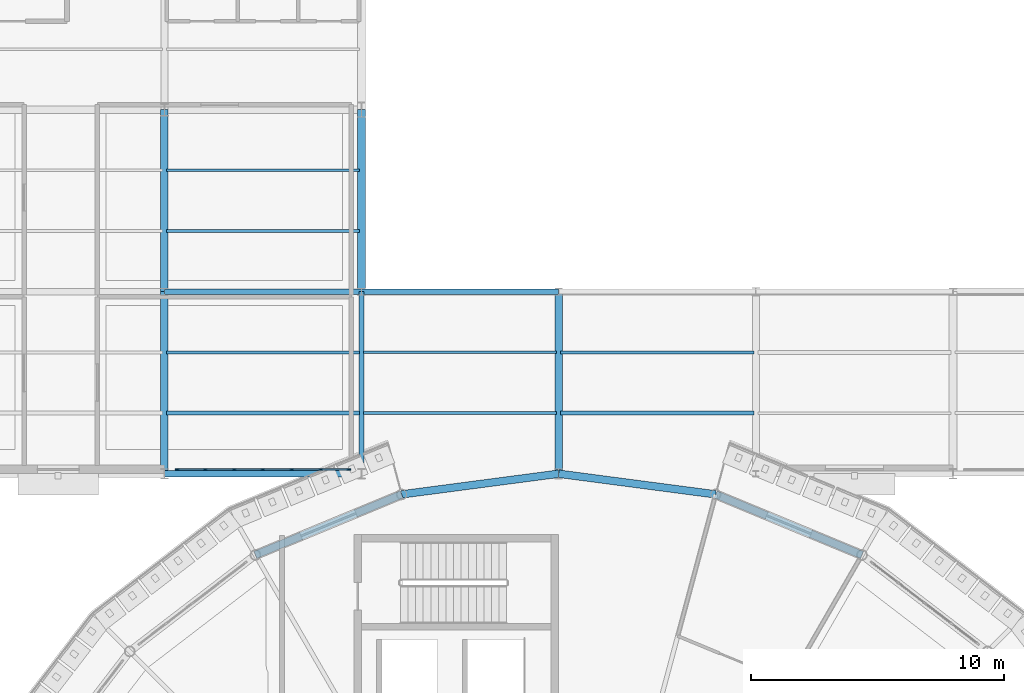
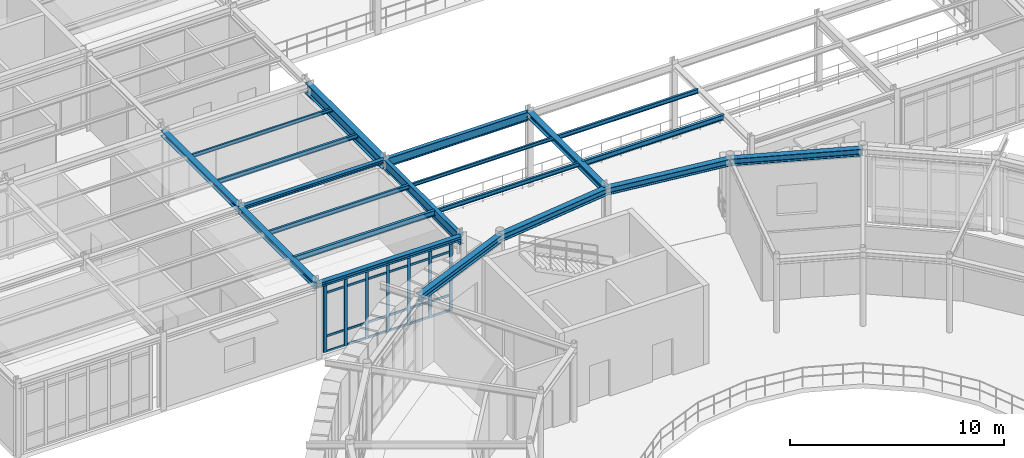
# One storey, part 55 of 106: 31 members, 20 beams, 1 element without a shape of its own.
"""IFC4 building model written with IfcOpenShell, lengths in metres."""

from ifc_helpers import new_model, si_unit, derived_unit, direction, frame, origin, origin_2d, place, context, subcontext, project, spatial, rectangle, i_section, extrude, material, layer, layer_set, material_profile, profile_set, type_object, element, aggregate, save


model = new_model("IFC4")

# Units and contexts
model_context = context("Model", 3, precision=1e-05, world=origin(), true_north=direction((0.0, 1.0)))
body_context = subcontext(model_context, "Body", "Model", "MODEL_VIEW")
ifc_project = project(units=[si_unit("LENGTHUNIT", "METRE"), si_unit("AREAUNIT", "SQUARE_METRE"), si_unit("VOLUMEUNIT", "CUBIC_METRE"), si_unit("PLANEANGLEUNIT", "RADIAN"), si_unit("MASSUNIT", "GRAM", prefix="KILO"), derived_unit("THERMALTRANSMITTANCEUNIT", [(si_unit("POWERUNIT", "WATT"), 1), (si_unit("AREAUNIT", "SQUARE_METRE"), -1), (si_unit("THERMODYNAMICTEMPERATUREUNIT", "KELVIN"), -1)])], contexts=[model_context])

# Site, building, storey
site_placement = place(None, origin())
site = spatial("IfcSite", under=ifc_project, at=site_placement, CompositionType="ELEMENT")
building_placement = place(site_placement, origin())
building = spatial("IfcBuilding", under=site, at=building_placement, Name="Yasenodar Specialist Clinic", CompositionType="ELEMENT")
storey_placement = place(building_placement, frame((0.0, 0.0, 4.5)))
storey = spatial("IfcBuildingStorey", under=building, at=storey_placement, Name="L01", CompositionType="ELEMENT", Elevation=4.5)

# Beams
ifc_material_1 = material(Name="Steel S355", Category="steel")
ifc_material_profile_1 = material_profile(ifc_material_1, i_section(OverallWidth=0.219970703125, OverallDepth=0.2099609375, WebThickness=0.007080078125, FlangeThickness=0.010986328125, FilletRadius=0.01806640625, at=origin_2d()), Name="HEA 220")
ifc_profile_set_1 = profile_set([ifc_material_profile_1], Name="Steel S355")
beam_type_1 = type_object("IfcBeamType", Name="BM-HEA220", PredefinedType="BEAM", material=ifc_profile_set_1)
beam_1_placement = place(storey_placement, frame((65.39990234375, 90.0, 4.14501953125), z_axis=(1.0, 0.0, 0.0), x_axis=(0.0, 1.0, 0.0)))
element("IfcBeam", 1, at=beam_1_placement, inside=storey, type_object=beam_type_1, Name="L01 Primary E-W Girder", PredefinedType="BEAM", context=body_context, shape_type="SweptSolid", body=[
    extrude(i_section(OverallWidth=0.219970703125, OverallDepth=0.2099609375, WebThickness=0.007080078125, FlangeThickness=0.010986328125, FilletRadius=0.01806640625, at=origin_2d()), origin(), (0.0, 0.0, 1.0), 7.800048828125),
])
ifc_material_profile_2 = material_profile(ifc_material_1, i_section(OverallWidth=0.260009765625, OverallDepth=0.25, WebThickness=0.007568359375, FlangeThickness=0.012451171875, FilletRadius=0.02392578125, at=origin_2d()), Name="HEA 260")
ifc_profile_set_2 = profile_set([ifc_material_profile_2], Name="Steel S355")
beam_type_2 = type_object("IfcBeamType", Name="BM-HEA260", PredefinedType="BEAM", material=ifc_profile_set_2)
beam_2_placement = place(storey_placement, frame((65.39990234375, 82.800048828125, 4.125), z_axis=(1.0, 0.0, 0.0), x_axis=(0.0, 1.0, 0.0)))
element("IfcBeam", 2, at=beam_2_placement, inside=storey, type_object=beam_type_2, Name="L01 Primary E-W Girder", PredefinedType="BEAM", context=body_context, shape_type="SweptSolid", body=[
    extrude(i_section(OverallWidth=0.260009765625, OverallDepth=0.25, WebThickness=0.007568359375, FlangeThickness=0.012451171875, FilletRadius=0.02392578125, at=origin_2d()), origin(), (0.0, 0.0, 1.0), 7.800048828125),
])
ifc_material_profile_3 = material_profile(ifc_material_1, i_section(OverallWidth=0.300048828125, OverallDepth=0.389892578125, WebThickness=0.010986328125, FlangeThickness=0.01904296875, FilletRadius=0.027099609375, at=origin_2d()), Name="HEA 400")
ifc_profile_set_3 = profile_set([ifc_material_profile_3], Name="Steel S355")
beam_type_3 = type_object("IfcBeamType", Name="BM-HEA400", PredefinedType="BEAM", material=ifc_profile_set_3)
beam_3_placement = place(storey_placement, frame((93.0, 79.584716796875, 4.054931640625), z_axis=(-0.9238876519, 0.382663829839, 0.0), x_axis=(-0.382663829839, -0.9238876519, 0.0)))
element("IfcBeam", 3, at=beam_3_placement, inside=storey, type_object=beam_type_3, Name="L01 Drum V1 Perimeter Ring Beam", PredefinedType="BEAM", context=body_context, shape_type="SweptSolid", body=[
    extrude(i_section(OverallWidth=0.300048828125, OverallDepth=0.389892578125, WebThickness=0.010986328125, FlangeThickness=0.01904296875, FilletRadius=0.027099609375, at=origin_2d()), origin(), (0.0, 0.0, 1.0), 6.26513671875),
])
for number, where, z_axis, x_axis, name in (
    (4, (87.211669921875, 81.982177734375, 4.054931640625), (-0.991443018138, 0.130540192224, 0.0), (-0.130540192224, -0.991443018138, 0.0), "L01 Drum V1 Perimeter Ring Beam"),
    (5, (81.0, 82.800048828125, 4.054931640625), (-0.991443018138, -0.130540192224, 0.0), (0.130540192224, -0.991443018138, 0.0), "L01 Drum V1 Perimeter Ring Beam"),
):
    element("IfcBeam", number, at=place(storey_placement, frame(where, z_axis=z_axis, x_axis=x_axis)), inside=storey, type_object=beam_type_3, Name=name, PredefinedType="BEAM", context=body_context, shape_type="SweptSolid", body=[
        extrude(i_section(OverallWidth=0.300048828125, OverallDepth=0.389892578125, WebThickness=0.010986328125, FlangeThickness=0.01904296875, FilletRadius=0.027099609375, at=origin_2d()), origin(), (0.0, 0.0, 1.0), 6.265380859375),
    ])
beam_4_placement = place(storey_placement, frame((74.788330078125, 81.982177734375, 4.054931640625), z_axis=(-0.9238876519, -0.382663829839, 0.0), x_axis=(0.382663829839, -0.9238876519, 0.0)))
element("IfcBeam", 6, at=beam_4_placement, inside=storey, type_object=beam_type_3, Name="L01 Drum V1 Perimeter Ring Beam", PredefinedType="BEAM", context=body_context, shape_type="SweptSolid", body=[
    extrude(i_section(OverallWidth=0.300048828125, OverallDepth=0.389892578125, WebThickness=0.010986328125, FlangeThickness=0.01904296875, FilletRadius=0.027099609375, at=origin_2d()), origin(), (0.0, 0.0, 1.0), 6.26513671875),
])
ifc_material_profile_4 = material_profile(ifc_material_1, i_section(OverallWidth=0.300048828125, OverallDepth=0.300048828125, WebThickness=0.010986328125, FlangeThickness=0.01904296875, FilletRadius=0.027099609375, at=origin_2d()), Name="HEB 300")
ifc_profile_set_4 = profile_set([ifc_material_profile_4], Name="Steel S355")
beam_type_4 = type_object("IfcBeamType", Name="BM-HEB300", PredefinedType="BEAM", material=ifc_profile_set_4)
beam_5_placement = place(storey_placement, frame((65.39990234375, 90.0, 4.10009765625), z_axis=(0.0, 1.0, 0.0), x_axis=(-1.0, 0.0, 0.0)))
element("IfcBeam", 7, at=beam_5_placement, inside=storey, type_object=beam_type_4, Name="L01 Primary N-S Girder", PredefinedType="BEAM", context=body_context, shape_type="SweptSolid", body=[
    extrude(i_section(OverallWidth=0.300048828125, OverallDepth=0.300048828125, WebThickness=0.010986328125, FlangeThickness=0.01904296875, FilletRadius=0.027099609375, at=origin_2d()), origin(), (0.0, 0.0, 1.0), 7.199951171875),
])
ifc_material_profile_5 = material_profile(ifc_material_1, i_section(OverallWidth=0.300048828125, OverallDepth=0.340087890625, WebThickness=0.011962890625, FlangeThickness=0.021484375, FilletRadius=0.027099609375, at=origin_2d()), Name="HEB 340")
ifc_profile_set_5 = profile_set([ifc_material_profile_5], Name="Steel S355")
beam_type_5 = type_object("IfcBeamType", Name="BM-HEB340", PredefinedType="BEAM", material=ifc_profile_set_5)
for number, where, z_axis, x_axis, name in (
    (8, (65.39990234375, 82.800048828125, 4.080078125), (0.0, 1.0, 0.0), (-1.0, 0.0, 0.0), "L01 Primary N-S Girder"),
    (9, (81.0, 82.800048828125, 4.080078125), (0.0, 1.0, 0.0), (-1.0, 0.0, 0.0), "L01 Primary N-S Girder"),
):
    element("IfcBeam", number, at=place(storey_placement, frame(where, z_axis=z_axis, x_axis=x_axis)), inside=storey, type_object=beam_type_5, Name=name, PredefinedType="BEAM", context=body_context, shape_type="SweptSolid", body=[
        extrude(i_section(OverallWidth=0.300048828125, OverallDepth=0.340087890625, WebThickness=0.011962890625, FlangeThickness=0.021484375, FilletRadius=0.027099609375, at=origin_2d()), origin(), (0.0, 0.0, 1.0), 7.199951171875),
    ])
ifc_material_profile_6 = material_profile(ifc_material_1, i_section(OverallWidth=0.300048828125, OverallDepth=0.60009765625, WebThickness=0.015380859375, FlangeThickness=0.030029296875, FilletRadius=0.027099609375, at=origin_2d()), Name="HEB 600")
ifc_profile_set_6 = profile_set([ifc_material_profile_6], Name="Steel S355")
beam_type_6 = type_object("IfcBeamType", Name="BM-HEB600", PredefinedType="BEAM", material=ifc_profile_set_6)
beam_6_placement = place(storey_placement, frame((73.199951171875, 90.0, 3.949951171875), z_axis=(0.0, 1.0, 0.0), x_axis=(-1.0, 0.0, 0.0)))
element("IfcBeam", 10, at=beam_6_placement, inside=storey, type_object=beam_type_6, Name="L01 Primary N-S Girder", PredefinedType="BEAM", context=body_context, shape_type="SweptSolid", body=[
    extrude(i_section(OverallWidth=0.300048828125, OverallDepth=0.60009765625, WebThickness=0.015380859375, FlangeThickness=0.030029296875, FilletRadius=0.027099609375, at=origin_2d()), origin(), (0.0, 0.0, 1.0), 7.199951171875),
])
ifc_material_profile_7 = material_profile(ifc_material_1, i_section(OverallWidth=0.199951171875, OverallDepth=0.5, WebThickness=0.01025390625, FlangeThickness=0.01611328125, FilletRadius=0.02099609375, at=origin_2d()), Name="IPE 500")
ifc_profile_set_7 = profile_set([ifc_material_profile_7], Name="Steel S355")
beam_type_7 = type_object("IfcBeamType", Name="BM-IPE500", PredefinedType="BEAM", material=ifc_profile_set_7)
beam_7_placement = place(storey_placement, frame((73.199951171875, 90.0, 4.0), z_axis=(1.0, 0.0, 0.0), x_axis=(0.0, 1.0, 0.0)))
element("IfcBeam", 11, at=beam_7_placement, inside=storey, type_object=beam_type_7, Name="L01 Primary E-W Girder", PredefinedType="BEAM", context=body_context, shape_type="SweptSolid", body=[
    extrude(i_section(OverallWidth=0.199951171875, OverallDepth=0.5, WebThickness=0.01025390625, FlangeThickness=0.01611328125, FilletRadius=0.02099609375, at=origin_2d()), origin(), (0.0, 0.0, 1.0), 7.800048828125),
])
ifc_material_profile_8 = material_profile(ifc_material_1, i_section(OverallWidth=0.2099609375, OverallDepth=0.550048828125, WebThickness=0.010986328125, FlangeThickness=0.01708984375, FilletRadius=0.02392578125, at=origin_2d()), Name="IPE 550")
ifc_profile_set_8 = profile_set([ifc_material_profile_8], Name="Steel S355")
beam_type_8 = type_object("IfcBeamType", Name="BM-IPE550", PredefinedType="BEAM", material=ifc_profile_set_8)
beam_8_placement = place(storey_placement, frame((73.199951171875, 82.800048828125, 3.97509765625), z_axis=(0.0, 1.0, 0.0), x_axis=(-1.0, 0.0, 0.0)))
element("IfcBeam", 12, at=beam_8_placement, inside=storey, type_object=beam_type_8, Name="L01 Primary N-S Girder", PredefinedType="BEAM", context=body_context, shape_type="SweptSolid", body=[
    extrude(i_section(OverallWidth=0.2099609375, OverallDepth=0.550048828125, WebThickness=0.010986328125, FlangeThickness=0.01708984375, FilletRadius=0.02392578125, at=origin_2d()), origin(), (0.0, 0.0, 1.0), 7.199951171875),
])

# Curtain wall, members
ifc_material_2 = material(Name="Bronze Anodized Aluminium and Triple Low-E Glass", Category="aluminium")
ifc_layer = layer(ifc_material_2, 0.215087890625)
ifc_layer_set = layer_set([ifc_layer], Name="Bronze Anodized Aluminium and Triple Low-E Glass")
curtain_wall_type = type_object("IfcCurtainWallType", Name="CW-SYS-05", PredefinedType="USERDEFINED", material=ifc_layer_set)
curtain_wall_placement = place(storey_placement, origin())
curtain_wall = element("IfcCurtainWall", 13, at=curtain_wall_placement, inside=storey, type_object=curtain_wall_type, Name="L01 Unitised Curtain Wall 152", ObjectType="UNITISED CURTAIN WALL", PredefinedType="USERDEFINED")
ifc_material_3 = material(Name="Bronze Anodized Aluminium", Category="aluminium")
ifc_material_profile_9 = material_profile(ifc_material_3, rectangle(XDim=0.06005859375, YDim=0.159912109375, at=origin_2d()), Name="CW-MULL 60x160")
ifc_profile_set_9 = profile_set([ifc_material_profile_9], Name="Bronze Anodized Aluminium")
member_type_1 = type_object("IfcMemberType", Name="CW-MULL-160", PredefinedType="MULLION", material=ifc_profile_set_9)
member_1_placement = place(storey_placement, frame((72.68994140625, 82.969970703125, 0.0), z_axis=(0.0, 0.0, 1.0), x_axis=(0.0, -1.0, 0.0)))
member_1 = element("IfcMember", 14, at=member_1_placement, type_object=member_type_1, Name="CW-05 mullion 1", PredefinedType="MULLION", context=body_context, shape_type="SweptSolid", body=[
    extrude(rectangle(XDim=0.06005859375, YDim=0.159912109375, at=origin_2d()), origin(), (0.0, 0.0, 1.0), 3.97802734375),
])
member_2_placement = place(storey_placement, frame((71.580078125, 82.969970703125, 0.0), z_axis=(0.0, 0.0, 1.0), x_axis=(0.0, -1.0, 0.0)))
member_2 = element("IfcMember", 15, at=member_2_placement, type_object=member_type_1, Name="CW-05 mullion 2", PredefinedType="MULLION", context=body_context, shape_type="SweptSolid", body=[
    extrude(rectangle(XDim=0.06005859375, YDim=0.159912109375, at=origin_2d()), origin(), (0.0, 0.0, 1.0), 3.97802734375),
])
member_3_placement = place(storey_placement, frame((70.43994140625, 82.969970703125, 0.0), z_axis=(0.0, 0.0, 1.0), x_axis=(0.0, -1.0, 0.0)))
member_3 = element("IfcMember", 16, at=member_3_placement, type_object=member_type_1, Name="CW-05 mullion 3", PredefinedType="MULLION", context=body_context, shape_type="SweptSolid", body=[
    extrude(rectangle(XDim=0.06005859375, YDim=0.159912109375, at=origin_2d()), origin(), (0.0, 0.0, 1.0), 3.97802734375),
])
member_4_placement = place(storey_placement, frame((69.300048828125, 82.969970703125, 0.0), z_axis=(0.0, 0.0, 1.0), x_axis=(0.0, -1.0, 0.0)))
member_4 = element("IfcMember", 17, at=member_4_placement, type_object=member_type_1, Name="CW-05 mullion 4", PredefinedType="MULLION", context=body_context, shape_type="SweptSolid", body=[
    extrude(rectangle(XDim=0.06005859375, YDim=0.159912109375, at=origin_2d()), origin(), (0.0, 0.0, 1.0), 3.97802734375),
])
member_5_placement = place(storey_placement, frame((68.159912109375, 82.969970703125, 0.0), z_axis=(0.0, 0.0, 1.0), x_axis=(0.0, -1.0, 0.0)))
member_5 = element("IfcMember", 18, at=member_5_placement, type_object=member_type_1, Name="CW-05 mullion 5", PredefinedType="MULLION", context=body_context, shape_type="SweptSolid", body=[
    extrude(rectangle(XDim=0.06005859375, YDim=0.159912109375, at=origin_2d()), origin(), (0.0, 0.0, 1.0), 3.97802734375),
])
member_6_placement = place(storey_placement, frame((67.02001953125, 82.969970703125, 0.0), z_axis=(0.0, 0.0, 1.0), x_axis=(0.0, -1.0, 0.0)))
member_6 = element("IfcMember", 19, at=member_6_placement, type_object=member_type_1, Name="CW-05 mullion 6", PredefinedType="MULLION", context=body_context, shape_type="SweptSolid", body=[
    extrude(rectangle(XDim=0.06005859375, YDim=0.159912109375, at=origin_2d()), origin(), (0.0, 0.0, 1.0), 3.97802734375),
])
member_7_placement = place(storey_placement, frame((65.909912109375, 82.969970703125, 0.0), z_axis=(0.0, 0.0, 1.0), x_axis=(0.0, -1.0, 0.0)))
member_7 = element("IfcMember", 20, at=member_7_placement, type_object=member_type_1, Name="CW-05 mullion 7", PredefinedType="MULLION", context=body_context, shape_type="SweptSolid", body=[
    extrude(rectangle(XDim=0.06005859375, YDim=0.159912109375, at=origin_2d()), origin(), (0.0, 0.0, 1.0), 3.97802734375),
])
ifc_material_profile_10 = material_profile(ifc_material_3, rectangle(XDim=0.06005859375, YDim=0.1201171875, at=origin_2d()), Name="CW-TRAN 60x120")
ifc_profile_set_10 = profile_set([ifc_material_profile_10], Name="Bronze Anodized Aluminium")
member_type_2 = type_object("IfcMemberType", Name="CW-TRAN-120", PredefinedType="USERDEFINED", material=ifc_profile_set_10)
member_8_placement = place(storey_placement, frame((72.659912109375, 82.969970703125, 0.030029296875), z_axis=(-1.0, 0.0, 0.0), x_axis=(0.0, -1.0, 0.0)))
member_8 = element("IfcMember", 21, at=member_8_placement, type_object=member_type_2, Name="CW-05 transom 1.1", ObjectType="TRANSOM", PredefinedType="USERDEFINED", context=body_context, shape_type="SweptSolid", body=[
    extrude(rectangle(XDim=0.06005859375, YDim=0.1201171875, at=origin_2d()), origin(), (0.0, 0.0, 1.0), 1.0498046875),
])
member_9_placement = place(storey_placement, frame((72.659912109375, 82.969970703125, 0.89990234375), z_axis=(-1.0, 0.0, 0.0), x_axis=(0.0, -1.0, 0.0)))
member_9 = element("IfcMember", 22, at=member_9_placement, type_object=member_type_2, Name="CW-05 transom 1.2", ObjectType="TRANSOM", PredefinedType="USERDEFINED", context=body_context, shape_type="SweptSolid", body=[
    extrude(rectangle(XDim=0.06005859375, YDim=0.1201171875, at=origin_2d()), origin(), (0.0, 0.0, 1.0), 1.0498046875),
])
member_10_placement = place(storey_placement, frame((72.659912109375, 82.969970703125, 3.3779296875), z_axis=(-1.0, 0.0, 0.0), x_axis=(0.0, -1.0, 0.0)))
member_10 = element("IfcMember", 23, at=member_10_placement, type_object=member_type_2, Name="CW-05 transom 1.3", ObjectType="TRANSOM", PredefinedType="USERDEFINED", context=body_context, shape_type="SweptSolid", body=[
    extrude(rectangle(XDim=0.06005859375, YDim=0.1201171875, at=origin_2d()), origin(), (0.0, 0.0, 1.0), 1.0498046875),
])
member_11_placement = place(storey_placement, frame((72.659912109375, 82.969970703125, 3.947998046875), z_axis=(-1.0, 0.0, 0.0), x_axis=(0.0, -1.0, 0.0)))
member_11 = element("IfcMember", 24, at=member_11_placement, type_object=member_type_2, Name="CW-05 transom 1.4", ObjectType="TRANSOM", PredefinedType="USERDEFINED", context=body_context, shape_type="SweptSolid", body=[
    extrude(rectangle(XDim=0.06005859375, YDim=0.1201171875, at=origin_2d()), origin(), (0.0, 0.0, 1.0), 1.0498046875),
])
member_12_placement = place(storey_placement, frame((71.550048828125, 82.969970703125, 0.030029296875), z_axis=(-1.0, 0.0, 0.0), x_axis=(0.0, -1.0, 0.0)))
member_12 = element("IfcMember", 25, at=member_12_placement, type_object=member_type_2, Name="CW-05 transom 2.1", ObjectType="TRANSOM", PredefinedType="USERDEFINED", context=body_context, shape_type="SweptSolid", body=[
    extrude(rectangle(XDim=0.06005859375, YDim=0.1201171875, at=origin_2d()), origin(), (0.0, 0.0, 1.0), 1.080078125),
])
member_13_placement = place(storey_placement, frame((71.550048828125, 82.969970703125, 0.89990234375), z_axis=(-1.0, 0.0, 0.0), x_axis=(0.0, -1.0, 0.0)))
member_13 = element("IfcMember", 26, at=member_13_placement, type_object=member_type_2, Name="CW-05 transom 2.2", ObjectType="TRANSOM", PredefinedType="USERDEFINED", context=body_context, shape_type="SweptSolid", body=[
    extrude(rectangle(XDim=0.06005859375, YDim=0.1201171875, at=origin_2d()), origin(), (0.0, 0.0, 1.0), 1.080078125),
])
member_14_placement = place(storey_placement, frame((71.550048828125, 82.969970703125, 3.3779296875), z_axis=(-1.0, 0.0, 0.0), x_axis=(0.0, -1.0, 0.0)))
member_14 = element("IfcMember", 27, at=member_14_placement, type_object=member_type_2, Name="CW-05 transom 2.3", ObjectType="TRANSOM", PredefinedType="USERDEFINED", context=body_context, shape_type="SweptSolid", body=[
    extrude(rectangle(XDim=0.06005859375, YDim=0.1201171875, at=origin_2d()), origin(), (0.0, 0.0, 1.0), 1.080078125),
])
member_15_placement = place(storey_placement, frame((71.550048828125, 82.969970703125, 3.947998046875), z_axis=(-1.0, 0.0, 0.0), x_axis=(0.0, -1.0, 0.0)))
member_15 = element("IfcMember", 28, at=member_15_placement, type_object=member_type_2, Name="CW-05 transom 2.4", ObjectType="TRANSOM", PredefinedType="USERDEFINED", context=body_context, shape_type="SweptSolid", body=[
    extrude(rectangle(XDim=0.06005859375, YDim=0.1201171875, at=origin_2d()), origin(), (0.0, 0.0, 1.0), 1.080078125),
])
member_16_placement = place(storey_placement, frame((70.409912109375, 82.969970703125, 0.030029296875), z_axis=(-1.0, 0.0, 0.0), x_axis=(0.0, -1.0, 0.0)))
member_16 = element("IfcMember", 29, at=member_16_placement, type_object=member_type_2, Name="CW-05 transom 3.1", ObjectType="TRANSOM", PredefinedType="USERDEFINED", context=body_context, shape_type="SweptSolid", body=[
    extrude(rectangle(XDim=0.06005859375, YDim=0.1201171875, at=origin_2d()), origin(), (0.0, 0.0, 1.0), 1.079833984375),
])
member_17_placement = place(storey_placement, frame((70.409912109375, 82.969970703125, 0.89990234375), z_axis=(-1.0, 0.0, 0.0), x_axis=(0.0, -1.0, 0.0)))
member_17 = element("IfcMember", 30, at=member_17_placement, type_object=member_type_2, Name="CW-05 transom 3.2", ObjectType="TRANSOM", PredefinedType="USERDEFINED", context=body_context, shape_type="SweptSolid", body=[
    extrude(rectangle(XDim=0.06005859375, YDim=0.1201171875, at=origin_2d()), origin(), (0.0, 0.0, 1.0), 1.079833984375),
])
member_18_placement = place(storey_placement, frame((70.409912109375, 82.969970703125, 3.3779296875), z_axis=(-1.0, 0.0, 0.0), x_axis=(0.0, -1.0, 0.0)))
member_18 = element("IfcMember", 31, at=member_18_placement, type_object=member_type_2, Name="CW-05 transom 3.3", ObjectType="TRANSOM", PredefinedType="USERDEFINED", context=body_context, shape_type="SweptSolid", body=[
    extrude(rectangle(XDim=0.06005859375, YDim=0.1201171875, at=origin_2d()), origin(), (0.0, 0.0, 1.0), 1.079833984375),
])
member_19_placement = place(storey_placement, frame((70.409912109375, 82.969970703125, 3.947998046875), z_axis=(-1.0, 0.0, 0.0), x_axis=(0.0, -1.0, 0.0)))
member_19 = element("IfcMember", 32, at=member_19_placement, type_object=member_type_2, Name="CW-05 transom 3.4", ObjectType="TRANSOM", PredefinedType="USERDEFINED", context=body_context, shape_type="SweptSolid", body=[
    extrude(rectangle(XDim=0.06005859375, YDim=0.1201171875, at=origin_2d()), origin(), (0.0, 0.0, 1.0), 1.079833984375),
])
member_20_placement = place(storey_placement, frame((69.27001953125, 82.969970703125, 0.030029296875), z_axis=(-1.0, 0.0, 0.0), x_axis=(0.0, -1.0, 0.0)))
member_20 = element("IfcMember", 33, at=member_20_placement, type_object=member_type_2, Name="CW-05 transom 4.1", ObjectType="TRANSOM", PredefinedType="USERDEFINED", context=body_context, shape_type="SweptSolid", body=[
    extrude(rectangle(XDim=0.06005859375, YDim=0.1201171875, at=origin_2d()), origin(), (0.0, 0.0, 1.0), 1.080078125),
])
member_21_placement = place(storey_placement, frame((69.27001953125, 82.969970703125, 0.89990234375), z_axis=(-1.0, 0.0, 0.0), x_axis=(0.0, -1.0, 0.0)))
member_21 = element("IfcMember", 34, at=member_21_placement, type_object=member_type_2, Name="CW-05 transom 4.2", ObjectType="TRANSOM", PredefinedType="USERDEFINED", context=body_context, shape_type="SweptSolid", body=[
    extrude(rectangle(XDim=0.06005859375, YDim=0.1201171875, at=origin_2d()), origin(), (0.0, 0.0, 1.0), 1.080078125),
])
member_22_placement = place(storey_placement, frame((69.27001953125, 82.969970703125, 3.3779296875), z_axis=(-1.0, 0.0, 0.0), x_axis=(0.0, -1.0, 0.0)))
member_22 = element("IfcMember", 35, at=member_22_placement, type_object=member_type_2, Name="CW-05 transom 4.3", ObjectType="TRANSOM", PredefinedType="USERDEFINED", context=body_context, shape_type="SweptSolid", body=[
    extrude(rectangle(XDim=0.06005859375, YDim=0.1201171875, at=origin_2d()), origin(), (0.0, 0.0, 1.0), 1.080078125),
])
member_23_placement = place(storey_placement, frame((69.27001953125, 82.969970703125, 3.947998046875), z_axis=(-1.0, 0.0, 0.0), x_axis=(0.0, -1.0, 0.0)))
member_23 = element("IfcMember", 36, at=member_23_placement, type_object=member_type_2, Name="CW-05 transom 4.4", ObjectType="TRANSOM", PredefinedType="USERDEFINED", context=body_context, shape_type="SweptSolid", body=[
    extrude(rectangle(XDim=0.06005859375, YDim=0.1201171875, at=origin_2d()), origin(), (0.0, 0.0, 1.0), 1.080078125),
])
member_24_placement = place(storey_placement, frame((68.1298828125, 82.969970703125, 0.030029296875), z_axis=(-1.0, 0.0, 0.0), x_axis=(0.0, -1.0, 0.0)))
member_24 = element("IfcMember", 37, at=member_24_placement, type_object=member_type_2, Name="CW-05 transom 5.1", ObjectType="TRANSOM", PredefinedType="USERDEFINED", context=body_context, shape_type="SweptSolid", body=[
    extrude(rectangle(XDim=0.06005859375, YDim=0.1201171875, at=origin_2d()), origin(), (0.0, 0.0, 1.0), 1.079833984375),
])
member_25_placement = place(storey_placement, frame((68.1298828125, 82.969970703125, 0.89990234375), z_axis=(-1.0, 0.0, 0.0), x_axis=(0.0, -1.0, 0.0)))
member_25 = element("IfcMember", 38, at=member_25_placement, type_object=member_type_2, Name="CW-05 transom 5.2", ObjectType="TRANSOM", PredefinedType="USERDEFINED", context=body_context, shape_type="SweptSolid", body=[
    extrude(rectangle(XDim=0.06005859375, YDim=0.1201171875, at=origin_2d()), origin(), (0.0, 0.0, 1.0), 1.079833984375),
])
member_26_placement = place(storey_placement, frame((68.1298828125, 82.969970703125, 3.3779296875), z_axis=(-1.0, 0.0, 0.0), x_axis=(0.0, -1.0, 0.0)))
member_26 = element("IfcMember", 39, at=member_26_placement, type_object=member_type_2, Name="CW-05 transom 5.3", ObjectType="TRANSOM", PredefinedType="USERDEFINED", context=body_context, shape_type="SweptSolid", body=[
    extrude(rectangle(XDim=0.06005859375, YDim=0.1201171875, at=origin_2d()), origin(), (0.0, 0.0, 1.0), 1.079833984375),
])
member_27_placement = place(storey_placement, frame((68.1298828125, 82.969970703125, 3.947998046875), z_axis=(-1.0, 0.0, 0.0), x_axis=(0.0, -1.0, 0.0)))
member_27 = element("IfcMember", 40, at=member_27_placement, type_object=member_type_2, Name="CW-05 transom 5.4", ObjectType="TRANSOM", PredefinedType="USERDEFINED", context=body_context, shape_type="SweptSolid", body=[
    extrude(rectangle(XDim=0.06005859375, YDim=0.1201171875, at=origin_2d()), origin(), (0.0, 0.0, 1.0), 1.079833984375),
])
member_28_placement = place(storey_placement, frame((66.989990234375, 82.969970703125, 0.030029296875), z_axis=(-1.0, 0.0, 0.0), x_axis=(0.0, -1.0, 0.0)))
member_28 = element("IfcMember", 41, at=member_28_placement, type_object=member_type_2, Name="CW-05 transom 6.1", ObjectType="TRANSOM", PredefinedType="USERDEFINED", context=body_context, shape_type="SweptSolid", body=[
    extrude(rectangle(XDim=0.06005859375, YDim=0.1201171875, at=origin_2d()), origin(), (0.0, 0.0, 1.0), 1.050048828125),
])
member_29_placement = place(storey_placement, frame((66.989990234375, 82.969970703125, 0.89990234375), z_axis=(-1.0, 0.0, 0.0), x_axis=(0.0, -1.0, 0.0)))
member_29 = element("IfcMember", 42, at=member_29_placement, type_object=member_type_2, Name="CW-05 transom 6.2", ObjectType="TRANSOM", PredefinedType="USERDEFINED", context=body_context, shape_type="SweptSolid", body=[
    extrude(rectangle(XDim=0.06005859375, YDim=0.1201171875, at=origin_2d()), origin(), (0.0, 0.0, 1.0), 1.050048828125),
])
member_30_placement = place(storey_placement, frame((66.989990234375, 82.969970703125, 3.3779296875), z_axis=(-1.0, 0.0, 0.0), x_axis=(0.0, -1.0, 0.0)))
member_30 = element("IfcMember", 43, at=member_30_placement, type_object=member_type_2, Name="CW-05 transom 6.3", ObjectType="TRANSOM", PredefinedType="USERDEFINED", context=body_context, shape_type="SweptSolid", body=[
    extrude(rectangle(XDim=0.06005859375, YDim=0.1201171875, at=origin_2d()), origin(), (0.0, 0.0, 1.0), 1.050048828125),
])
member_31_placement = place(storey_placement, frame((66.989990234375, 82.969970703125, 3.947998046875), z_axis=(-1.0, 0.0, 0.0), x_axis=(0.0, -1.0, 0.0)))
member_31 = element("IfcMember", 44, at=member_31_placement, type_object=member_type_2, Name="CW-05 transom 6.4", ObjectType="TRANSOM", PredefinedType="USERDEFINED", context=body_context, shape_type="SweptSolid", body=[
    extrude(rectangle(XDim=0.06005859375, YDim=0.1201171875, at=origin_2d()), origin(), (0.0, 0.0, 1.0), 1.050048828125),
])
aggregate(curtain_wall, [member_1, member_2, member_3, member_4, member_5, member_6, member_7, member_8, member_9, member_10, member_11, member_12, member_13, member_14, member_15, member_16, member_17, member_18, member_19, member_20, member_21, member_22, member_23, member_24, member_25, member_26, member_27, member_28, member_29, member_30, member_31])

# Beams
ifc_material_profile_11 = material_profile(ifc_material_1, i_section(OverallWidth=0.10009765625, OverallDepth=0.199951171875, WebThickness=0.005615234375, FlangeThickness=0.008544921875, FilletRadius=0.011962890625, at=origin_2d()), Name="IPE 200")
ifc_profile_set_11 = profile_set([ifc_material_profile_11], Name="Steel S355")
beam_type_9 = type_object("IfcBeamType", Name="JS-IPE200", PredefinedType="JOIST", material=ifc_profile_set_11)
beam_9_placement = place(storey_placement, frame((65.47998046875, 94.800048828125, 4.14990234375), z_axis=(1.0, 0.0, 0.0), x_axis=(0.0, 1.0, 0.0)))
element("IfcBeam", 45, at=beam_9_placement, inside=storey, type_object=beam_type_9, Name="L01 Composite Floor Joist", PredefinedType="JOIST", context=body_context, shape_type="SweptSolid", body=[
    extrude(i_section(OverallWidth=0.10009765625, OverallDepth=0.199951171875, WebThickness=0.005615234375, FlangeThickness=0.008544921875, FilletRadius=0.011962890625, at=origin_2d()), origin(), (0.0, 0.0, 1.0), 7.64013671875),
])
beam_10_placement = place(storey_placement, frame((73.280029296875, 87.60009765625, 4.14990234375), z_axis=(1.0, 0.0, 0.0), x_axis=(0.0, 1.0, 0.0)))
element("IfcBeam", 46, at=beam_10_placement, inside=storey, type_object=beam_type_9, Name="L01 Composite Floor Joist", PredefinedType="JOIST", context=body_context, shape_type="SweptSolid", body=[
    extrude(i_section(OverallWidth=0.10009765625, OverallDepth=0.199951171875, WebThickness=0.005615234375, FlangeThickness=0.008544921875, FilletRadius=0.011962890625, at=origin_2d()), origin(), (0.0, 0.0, 1.0), 7.639892578125),
])
ifc_material_profile_12 = material_profile(ifc_material_1, i_section(OverallWidth=0.1201171875, OverallDepth=0.239990234375, WebThickness=0.006103515625, FlangeThickness=0.009765625, FilletRadius=0.014892578125, at=origin_2d()), Name="IPE 240")
ifc_profile_set_12 = profile_set([ifc_material_profile_12], Name="Steel S355")
beam_type_10 = type_object("IfcBeamType", Name="JS-IPE240", PredefinedType="JOIST", material=ifc_profile_set_12)
for number, where, z_axis, x_axis, name in (
    (47, (65.47998046875, 87.60009765625, 4.1298828125), (1.0, 0.0, 0.0), (0.0, 1.0, 0.0), "L01 Composite Floor Joist"),
    (48, (65.47998046875, 92.39990234375, 4.1298828125), (1.0, 0.0, 0.0), (0.0, 1.0, 0.0), "L01 Composite Floor Joist"),
):
    element("IfcBeam", number, at=place(storey_placement, frame(where, z_axis=z_axis, x_axis=x_axis)), inside=storey, type_object=beam_type_10, Name=name, PredefinedType="JOIST", context=body_context, shape_type="SweptSolid", body=[
        extrude(i_section(OverallWidth=0.1201171875, OverallDepth=0.239990234375, WebThickness=0.006103515625, FlangeThickness=0.009765625, FilletRadius=0.014892578125, at=origin_2d()), origin(), (0.0, 0.0, 1.0), 7.64013671875),
    ])
for number, where, z_axis, x_axis, name in (
    (49, (73.280029296875, 85.199951171875, 4.1298828125), (1.0, 0.0, 0.0), (0.0, 1.0, 0.0), "L01 Composite Floor Joist"),
    (50, (81.080078125, 87.60009765625, 4.1298828125), (1.0, 0.0, 0.0), (0.0, 1.0, 0.0), "L01 Composite Floor Joist"),
):
    element("IfcBeam", number, at=place(storey_placement, frame(where, z_axis=z_axis, x_axis=x_axis)), inside=storey, type_object=beam_type_10, Name=name, PredefinedType="JOIST", context=body_context, shape_type="SweptSolid", body=[
        extrude(i_section(OverallWidth=0.1201171875, OverallDepth=0.239990234375, WebThickness=0.006103515625, FlangeThickness=0.009765625, FilletRadius=0.014892578125, at=origin_2d()), origin(), (0.0, 0.0, 1.0), 7.639892578125),
    ])
ifc_material_profile_13 = material_profile(ifc_material_1, i_section(OverallWidth=0.14990234375, OverallDepth=0.300048828125, WebThickness=0.007080078125, FlangeThickness=0.0107421875, FilletRadius=0.014892578125, at=origin_2d()), Name="IPE 300")
ifc_profile_set_13 = profile_set([ifc_material_profile_13], Name="Steel S355")
beam_type_11 = type_object("IfcBeamType", Name="JS-IPE300", PredefinedType="JOIST", material=ifc_profile_set_13)
beam_11_placement = place(storey_placement, frame((65.47998046875, 85.199951171875, 4.10009765625), z_axis=(1.0, 0.0, 0.0), x_axis=(0.0, 1.0, 0.0)))
element("IfcBeam", 51, at=beam_11_placement, inside=storey, type_object=beam_type_11, Name="L01 Composite Floor Joist", PredefinedType="JOIST", context=body_context, shape_type="SweptSolid", body=[
    extrude(i_section(OverallWidth=0.14990234375, OverallDepth=0.300048828125, WebThickness=0.007080078125, FlangeThickness=0.0107421875, FilletRadius=0.014892578125, at=origin_2d()), origin(), (0.0, 0.0, 1.0), 7.64013671875),
])
beam_12_placement = place(storey_placement, frame((81.080078125, 85.199951171875, 4.10009765625), z_axis=(1.0, 0.0, 0.0), x_axis=(0.0, 1.0, 0.0)))
element("IfcBeam", 52, at=beam_12_placement, inside=storey, type_object=beam_type_11, Name="L01 Composite Floor Joist", PredefinedType="JOIST", context=body_context, shape_type="SweptSolid", body=[
    extrude(i_section(OverallWidth=0.14990234375, OverallDepth=0.300048828125, WebThickness=0.007080078125, FlangeThickness=0.0107421875, FilletRadius=0.014892578125, at=origin_2d()), origin(), (0.0, 0.0, 1.0), 7.639892578125),
])

save(model, "model.ifc")
